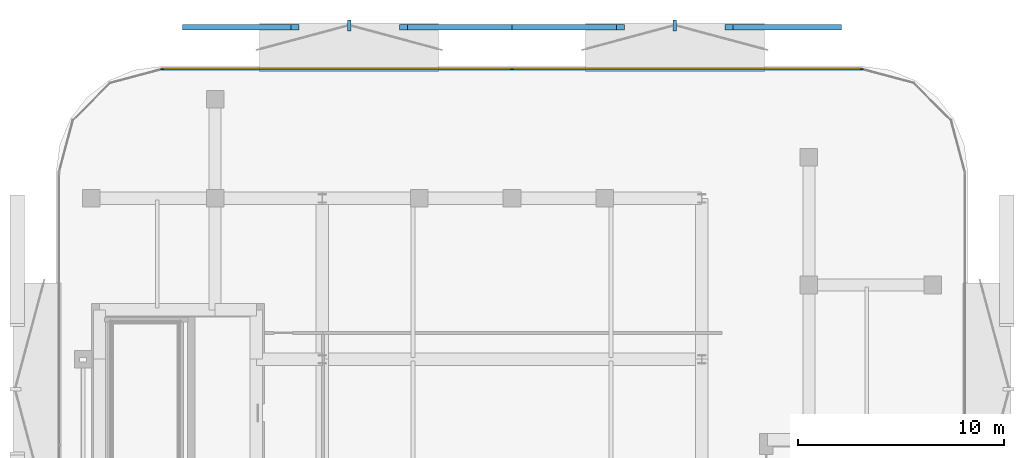
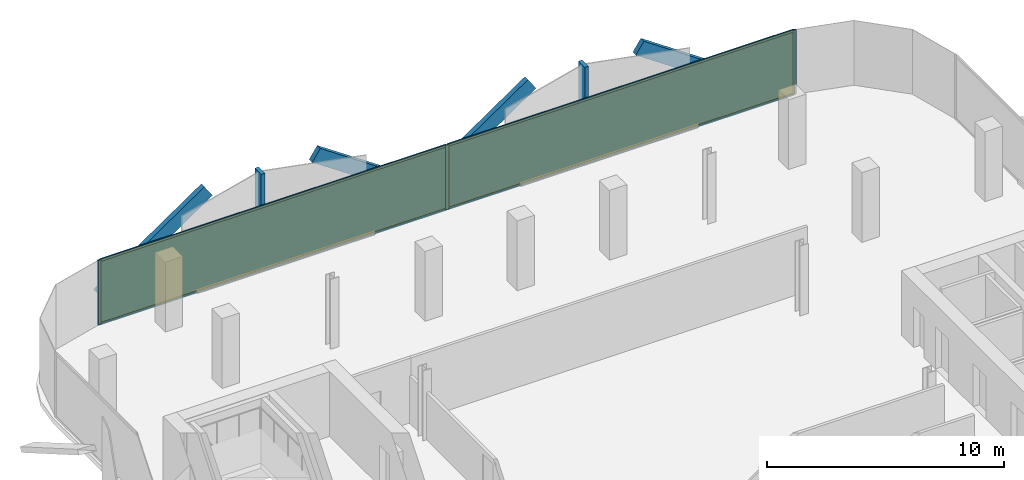
# One storey, part 8 of 11: 13 members, 2 plates, 1 curtain wall.
"""IFC4 building model written with IfcOpenShell, lengths in metres."""

from ifc_helpers import new_model, si_unit, direction, frame, frame_2d, origin, origin_2d, place, context, subcontext, project, spatial, rectangle, extrude, material, layer, layer_set, material_profile, profile_set, type_object, element, aggregate, save


model = new_model("IFC4")

# Units and contexts
model_context = context("Model", 3, precision=1e-05, world=origin(), true_north=direction((0.0, 1.0)))
body_context = subcontext(model_context, "Body", "Model", "MODEL_VIEW")
ifc_project = project(units=[si_unit("LENGTHUNIT", "METRE"), si_unit("AREAUNIT", "SQUARE_METRE"), si_unit("VOLUMEUNIT", "CUBIC_METRE"), si_unit("PLANEANGLEUNIT", "RADIAN"), si_unit("MASSUNIT", "GRAM", prefix="KILO")], contexts=[model_context])

# Member
ifc_material_1 = material(Name="Anodised Bronze Aluminium 6063-T6", Category="aluminium")
ifc_material_profile_1 = material_profile(ifc_material_1, rectangle(XDim=0.260009765625, YDim=0.699951171875, at=origin_2d()))
ifc_profile_set_1 = profile_set([ifc_material_profile_1], Name="Anodised Bronze Aluminium 6063-T6")
member_type_1 = type_object("IfcMemberType", Name="Bronze Diamond Solar-Screen Lattice Rib BDL-700", PredefinedType="MULLION", material=ifc_profile_set_1)
site_placement = place(None, origin())
building_placement = place(site_placement, origin())
storey_placement = place(building_placement, frame((0.0, 0.0, 222.39990234375)))
member_1_placement = place(storey_placement, frame((-15.790771484375, 26.89990234375, -0.1298828125), z_axis=(0.82540678728, 0.0, 0.564538426958), x_axis=(0.0, 1.0, 0.0)))
member_1 = element("IfcMember", 1, at=member_1_placement, type_object=member_type_1, Name="L51 Bronze Diamond Solar Screen Lattice Rib 341A", PredefinedType="MULLION", context=body_context, shape_type="SweptSolid", body=[
    extrude(rectangle(XDim=0.260009765625, YDim=0.699951171875, at=origin_2d()), origin(), (0.0, 0.0, 1.0), 6.376953125),
])

member_2_placement = place(storey_placement, frame((0.0, 26.89990234375, -0.1298828125), z_axis=(-0.82540678728, 0.0, 0.564538426958), x_axis=(0.0, -1.0, 0.0)))
member_2 = element("IfcMember", 2, at=member_2_placement, type_object=member_type_1, Name="L51 Bronze Diamond Solar Screen Lattice Rib 341B", PredefinedType="MULLION", context=body_context, shape_type="SweptSolid", body=[
    extrude(rectangle(XDim=0.260009765625, YDim=0.699951171875, at=origin_2d()), origin(), (0.0, 0.0, 1.0), 6.376953125),
])

member_3_placement = place(storey_placement, frame((0.0, 26.89990234375, -0.1298828125), z_axis=(0.82540678728, 0.0, 0.564538426958), x_axis=(0.0, 1.0, 0.0)))
member_3 = element("IfcMember", 3, at=member_3_placement, type_object=member_type_1, Name="L51 Bronze Diamond Solar Screen Lattice Rib 342A", PredefinedType="MULLION", context=body_context, shape_type="SweptSolid", body=[
    extrude(rectangle(XDim=0.260009765625, YDim=0.699951171875, at=origin_2d()), origin(), (0.0, 0.0, 1.0), 6.376953125),
])

member_4_placement = place(storey_placement, frame((15.790771484375, 26.89990234375, -0.1298828125), z_axis=(-0.82540678728, 0.0, 0.564538426958), x_axis=(0.0, -1.0, 0.0)))
member_4 = element("IfcMember", 4, at=member_4_placement, type_object=member_type_1, Name="L51 Bronze Diamond Solar Screen Lattice Rib 342B", PredefinedType="MULLION", context=body_context, shape_type="SweptSolid", body=[
    extrude(rectangle(XDim=0.260009765625, YDim=0.699951171875, at=origin_2d()), origin(), (0.0, 0.0, 1.0), 6.376953125),
])

ifc_material_2 = material(Name="Anodised Bronze Aluminium 6063-T6", Category="aluminium")
ifc_material_profile_2 = material_profile(ifc_material_2, rectangle(XDim=0.179931640625, YDim=0.5400390625, at=origin_2d()))
ifc_profile_set_2 = profile_set([ifc_material_profile_2], Name="Anodised Bronze Aluminium 6063-T6")
member_type_2 = type_object("IfcMemberType", Name="Bronze Solar-Screen Vertical Fold Fin BSF-540", PredefinedType="MULLION", material=ifc_profile_set_2)
member_5_placement = place(storey_placement, frame((-7.8955078125, 26.97998046875, -0.1298828125), z_axis=(0.0, 0.0, 1.0), x_axis=(1.0, 0.0, 0.0)))
member_5 = element("IfcMember", 5, at=member_5_placement, type_object=member_type_2, Name="L51 Bronze Solar Screen Vertical Fin 341", PredefinedType="MULLION", context=body_context, shape_type="SweptSolid", body=[
    extrude(rectangle(XDim=0.179931640625, YDim=0.5400390625, at=origin_2d()), origin(), (0.0, 0.0, 1.0), 3.60009765625),
])

member_6_placement = place(storey_placement, frame((7.8955078125, 26.97998046875, -0.1298828125), z_axis=(0.0, 0.0, 1.0), x_axis=(1.0, 0.0, 0.0)))
member_6 = element("IfcMember", 6, at=member_6_placement, type_object=member_type_2, Name="L51 Bronze Solar Screen Vertical Fin 342", PredefinedType="MULLION", context=body_context, shape_type="SweptSolid", body=[
    extrude(rectangle(XDim=0.179931640625, YDim=0.5400390625, at=origin_2d()), origin(), (0.0, 0.0, 1.0), 3.60009765625),
])

ifc_material_3 = material(Name="Anodised Bronze Aluminium 6063-T6", Category="aluminium")
ifc_material_profile_3 = material_profile(ifc_material_3, rectangle(XDim=0.06005859375, YDim=0.159912109375, at=origin_2d()))
ifc_profile_set_3 = profile_set([ifc_material_profile_3], Name="Anodised Bronze Aluminium 6063-T6")
member_type_3 = type_object("IfcMemberType", Name="CW-Z4 Mullion 60x160", PredefinedType="MULLION", material=ifc_profile_set_3)
member_7_placement = place(storey_placement, frame((-16.960693359375, 24.860107421875, 0.0), z_axis=(0.0, 0.0, 1.0), x_axis=(0.0, 1.0, 0.0)))
member_7 = element("IfcMember", 7, at=member_7_placement, type_object=member_type_3, Name="CW-Z4 mullion 1", PredefinedType="MULLION", context=body_context, shape_type="SweptSolid", body=[
    extrude(rectangle(XDim=0.06005859375, YDim=0.159912109375, at=origin_2d()), origin(), (0.0, 0.0, 1.0), 3.340087890625),
])

member_8_placement = place(storey_placement, frame((0.0, 24.860107421875, 0.0), z_axis=(0.0, 0.0, 1.0), x_axis=(0.0, 1.0, 0.0)))
member_8 = element("IfcMember", 8, at=member_8_placement, type_object=member_type_3, Name="CW-Z4 mullion 2", PredefinedType="MULLION", context=body_context, shape_type="SweptSolid", body=[
    extrude(rectangle(XDim=0.06005859375, YDim=0.159912109375, at=origin_2d()), origin(), (0.0, 0.0, 1.0), 3.340087890625),
])

member_9_placement = place(storey_placement, frame((16.960693359375, 24.860107421875, 0.0), z_axis=(0.0, 0.0, 1.0), x_axis=(0.0, 1.0, 0.0)))
member_9 = element("IfcMember", 9, at=member_9_placement, type_object=member_type_3, Name="CW-Z4 mullion 3", PredefinedType="MULLION", context=body_context, shape_type="SweptSolid", body=[
    extrude(rectangle(XDim=0.06005859375, YDim=0.159912109375, at=origin_2d()), origin(), (0.0, 0.0, 1.0), 3.340087890625),
])

ifc_material_4 = material(Name="Anodised Bronze Aluminium 6063-T6", Category="aluminium")
ifc_material_profile_4 = material_profile(ifc_material_4, rectangle(XDim=0.06005859375, YDim=0.125, at=origin_2d()))
ifc_profile_set_4 = profile_set([ifc_material_profile_4], Name="Anodised Bronze Aluminium 6063-T6")
member_type_4 = type_object("IfcMemberType", Name="CW-Z4 Transom 60x125", PredefinedType="USERDEFINED", material=ifc_profile_set_4)
member_10_placement = place(storey_placement, frame((-16.930908203125, 24.860107421875, 0.030029296875), z_axis=(1.0, 0.0, 0.0), x_axis=(0.0, 1.0, 0.0)))
member_10 = element("IfcMember", 10, at=member_10_placement, type_object=member_type_4, Name="CW-Z4 transom 1.1", ObjectType="TRANSOM", PredefinedType="USERDEFINED", context=body_context, shape_type="SweptSolid", body=[
    extrude(rectangle(XDim=0.06005859375, YDim=0.125, at=origin_2d()), origin(), (0.0, 0.0, 1.0), 16.90087890625),
])

member_11_placement = place(storey_placement, frame((-16.930908203125, 24.860107421875, 3.31005859375), z_axis=(1.0, 0.0, 0.0), x_axis=(0.0, 1.0, 0.0)))
member_11 = element("IfcMember", 11, at=member_11_placement, type_object=member_type_4, Name="CW-Z4 transom 1.2", ObjectType="TRANSOM", PredefinedType="USERDEFINED", context=body_context, shape_type="SweptSolid", body=[
    extrude(rectangle(XDim=0.06005859375, YDim=0.125, at=origin_2d()), origin(), (0.0, 0.0, 1.0), 16.90087890625),
])

member_12_placement = place(storey_placement, frame((0.030029296875, 24.860107421875, 0.030029296875), z_axis=(1.0, 0.0, 0.0), x_axis=(0.0, 1.0, 0.0)))
member_12 = element("IfcMember", 12, at=member_12_placement, type_object=member_type_4, Name="CW-Z4 transom 2.1", ObjectType="TRANSOM", PredefinedType="USERDEFINED", context=body_context, shape_type="SweptSolid", body=[
    extrude(rectangle(XDim=0.06005859375, YDim=0.125, at=origin_2d()), origin(), (0.0, 0.0, 1.0), 16.90087890625),
])

member_13_placement = place(storey_placement, frame((0.030029296875, 24.860107421875, 3.31005859375), z_axis=(1.0, 0.0, 0.0), x_axis=(0.0, 1.0, 0.0)))
member_13 = element("IfcMember", 13, at=member_13_placement, type_object=member_type_4, Name="CW-Z4 transom 2.2", ObjectType="TRANSOM", PredefinedType="USERDEFINED", context=body_context, shape_type="SweptSolid", body=[
    extrude(rectangle(XDim=0.06005859375, YDim=0.125, at=origin_2d()), origin(), (0.0, 0.0, 1.0), 16.90087890625),
])

# Plate
ifc_material_5 = material(Name="Low-E Solar Control Laminated Glass", Category="glass")
ifc_layer_1 = layer(ifc_material_5, 0.030029296875, Name="Low-E Solar Control Laminated Glass")
ifc_layer_set_1 = layer_set([ifc_layer_1], Name="Low-E Solar Control Laminated Glass")
plate_type = type_object("IfcPlateType", Name="CW-Z4 Low-E Double Glazed Panel 30mm", PredefinedType="CURTAIN_PANEL", material=ifc_layer_set_1)
plate_1_placement = place(storey_placement, frame((-8.48046875, 24.860107421875, 0.06005859375), z_axis=(0.0, 0.0, 1.0), x_axis=(1.0, 0.0, 0.0)))
plate_1 = element("IfcPlate", 14, at=plate_1_placement, type_object=plate_type, Name="CW-Z4 panel 1.1", PredefinedType="CURTAIN_PANEL", context=body_context, shape_type="SweptSolid", body=[
    extrude(rectangle(XDim=16.90087890625, YDim=0.030029296875, at=origin_2d()), origin(), (0.0, 0.0, 1.0), 3.219970703125),
])

plate_2_placement = place(storey_placement, frame((8.48046875, 24.860107421875, 0.06005859375), z_axis=(0.0, 0.0, 1.0), x_axis=(1.0, 0.0, 0.0)))
plate_2 = element("IfcPlate", 15, at=plate_2_placement, type_object=plate_type, Name="CW-Z4 panel 2.1", PredefinedType="CURTAIN_PANEL", context=body_context, shape_type="SweptSolid", body=[
    extrude(rectangle(XDim=16.90087890625, YDim=0.030029296875, at=origin_2d()), origin(), (0.0, 0.0, 1.0), 3.219970703125),
])

# Site, building, storey
site = spatial("IfcSite", under=ifc_project, at=site_placement, CompositionType="ELEMENT")
building = spatial("IfcBuilding", under=site, at=building_placement, Name="Khairoan Windgate Tower", CompositionType="ELEMENT")
storey = spatial("IfcBuildingStorey", under=building, at=storey_placement, Name="L51", CompositionType="ELEMENT", Elevation=222.39990234375)

# Curtain wall
ifc_material_6 = material(Name="Anodised Bronze Aluminium 6063-T6", Category="aluminium")
ifc_layer_2 = layer(ifc_material_6, 0.159912109375, Name="Anodised Bronze Aluminium 6063-T6")
ifc_layer_set_2 = layer_set([ifc_layer_2], Name="Anodised Bronze Aluminium 6063-T6")
curtain_wall_type = type_object("IfcCurtainWallType", Name="Sky Residence Unitised Curtain Wall CW-Z4", PredefinedType="NOTDEFINED", material=ifc_layer_set_2)
curtain_wall_placement = place(storey_placement, frame((-16.99072265625, 24.860107421875, 0.0), z_axis=(0.0, 0.0, 1.0), x_axis=(1.0, 0.0, 0.0)))
curtain_wall = element("IfcCurtainWall", 16, at=curtain_wall_placement, inside=storey, type_object=curtain_wall_type, Name="L51 Unitised Curtain Wall 9", PredefinedType="NOTDEFINED", context=body_context, shape_type="SweptSolid", body=[
    extrude(rectangle(XDim=33.9814453125, YDim=0.010009765625, at=frame_2d((16.99072265625, 0.0))), origin(), (0.0, 0.0, 1.0), 3.340087890625),
])

aggregate(curtain_wall, [member_7, member_8, member_9, member_10, member_11, plate_1, member_12, member_13, plate_2, member_1, member_2, member_5, member_3, member_4, member_6])

save(model, "model.ifc")
